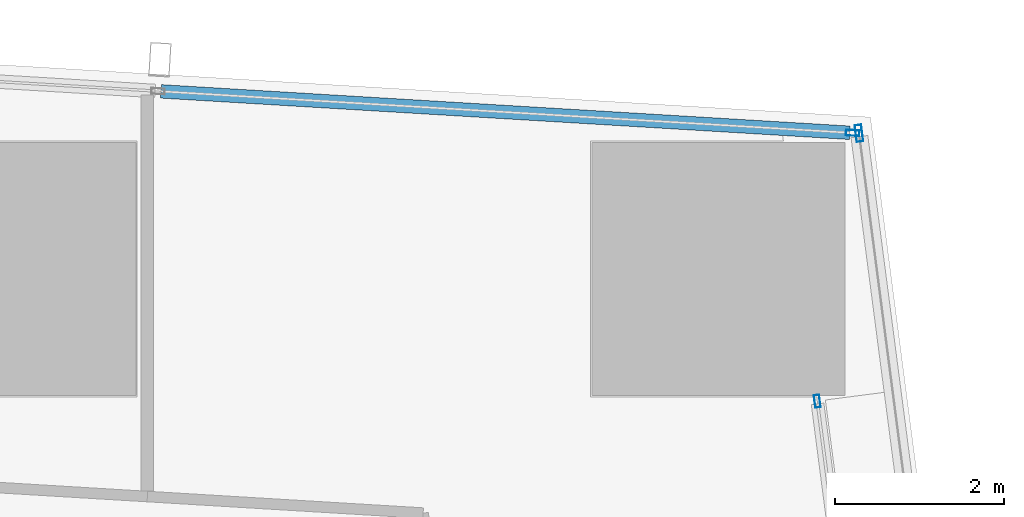
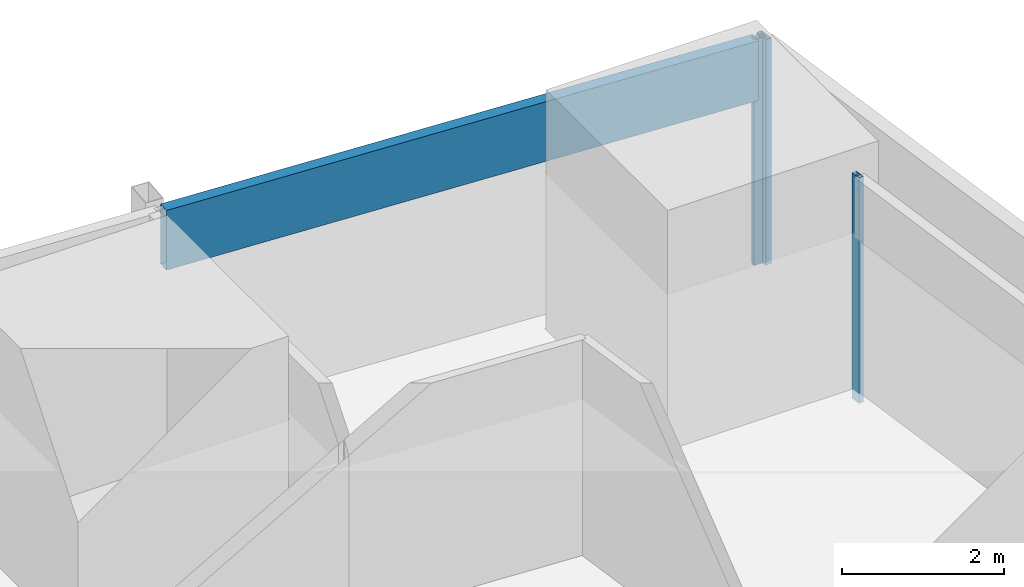
# One storey, part 20 of 38: 4 members, 3 elements without a shape of their own.
"""IFC4 building model written with IfcOpenShell, lengths in metres."""

from ifc_helpers import new_model, si_unit, direction, frame, origin, origin_2d, place, context, subcontext, project, spatial, hollow_rectangle, extrude, material, material_profile, profile_set, type_object, element, aggregate, save


model = new_model("IFC4")

# Units and contexts
model_context = context("Model", 3, precision=1e-05, world=origin(), true_north=direction((0.0, 1.0)))
body_context = subcontext(model_context, "Body", "Model", "MODEL_VIEW")
ifc_project = project(units=[si_unit("LENGTHUNIT", "METRE"), si_unit("AREAUNIT", "SQUARE_METRE"), si_unit("VOLUMEUNIT", "CUBIC_METRE"), si_unit("PLANEANGLEUNIT", "RADIAN"), si_unit("MASSUNIT", "GRAM", prefix="KILO")], contexts=[model_context])

# Site, building, storey
site_placement = place(None, origin())
site = spatial("IfcSite", under=ifc_project, at=site_placement, CompositionType="ELEMENT")
building_placement = place(site_placement, origin())
building = spatial("IfcBuilding", under=site, at=building_placement, Name="Rekha Terrace Tower", CompositionType="ELEMENT")
storey_placement = place(building_placement, frame((0.0, 0.0, 159.050048828125)))
storey = spatial("IfcBuildingStorey", under=building, at=storey_placement, Name="L40", CompositionType="ELEMENT", Elevation=159.050048828125)

# Curtain wall, member
ifc_material_1 = material(Name="Aluminium framing", Category="aluminium")
curtain_wall_type_1 = type_object("IfcCurtainWallType", Name="CW1 double skin inner glazing", PredefinedType="USERDEFINED", material=ifc_material_1)
curtain_wall_1_placement = place(storey_placement, origin())
curtain_wall_1 = element("IfcCurtainWall", 1, at=curtain_wall_1_placement, inside=storey, type_object=curtain_wall_type_1, Name="CW1 double skin inner glazing", ObjectType="DOUBLE SKIN INNER GLAZING", PredefinedType="USERDEFINED")
ifc_material_2 = material(Name="Aluminium mullion section", Category="aluminium")
ifc_material_profile_1 = material_profile(ifc_material_2, hollow_rectangle(XDim=0.06494140625, YDim=0.14990234375, WallThickness=0.00390625, at=origin_2d()), Name="AL RHS 65x150")
ifc_profile_set_1 = profile_set([ifc_material_profile_1], Name="Aluminium mullion section")
member_type_1 = type_object("IfcMemberType", Name="CW1 mullion RHS 65 x 150", PredefinedType="MULLION", material=ifc_profile_set_1)
member_1_placement = place(storey_placement, frame((68.369140625, 57.235595703125, 0.0), z_axis=(0.0, 0.0, 1.0), x_axis=(-0.991629186246, -0.129118383606, 0.0)))
member_1 = element("IfcMember", 2, at=member_1_placement, type_object=member_type_1, Name="CW1 mullion 2", PredefinedType="MULLION", context=body_context, shape_type="SweptSolid", body=[
    extrude(hollow_rectangle(XDim=0.06494140625, YDim=0.14990234375, WallThickness=0.00390625, at=origin_2d()), origin(), (0.0, 0.0, 1.0), 3.39990234375),
])
aggregate(curtain_wall_1, [member_1])

curtain_wall_type_2 = type_object("IfcCurtainWallType", Name="CW2 double skin outer glazing", PredefinedType="USERDEFINED", material=ifc_material_1)
curtain_wall_2_placement = place(storey_placement, origin())
curtain_wall_2 = element("IfcCurtainWall", 3, at=curtain_wall_2_placement, inside=storey, type_object=curtain_wall_type_2, Name="CW2 double skin outer glazing", ObjectType="DOUBLE SKIN OUTER GLAZING", PredefinedType="USERDEFINED")
ifc_material_profile_2 = material_profile(ifc_material_2, hollow_rectangle(XDim=0.080078125, YDim=0.199951171875, WallThickness=0.00390625, at=origin_2d()), Name="AL RHS 80x200")
ifc_profile_set_2 = profile_set([ifc_material_profile_2], Name="Aluminium mullion section")
member_type_2 = type_object("IfcMemberType", Name="CW2 mullion RHS 80 x 200", PredefinedType="MULLION", material=ifc_profile_set_2)
member_2_placement = place(storey_placement, frame((68.863525390625, 60.408447265625, 0.0), z_axis=(0.0, 0.0, 1.0), x_axis=(-0.991629186242, -0.129118383641, 0.0)))
member_2 = element("IfcMember", 4, at=member_2_placement, type_object=member_type_2, Name="CW2 mullion 3", PredefinedType="MULLION", context=body_context, shape_type="SweptSolid", body=[
    extrude(hollow_rectangle(XDim=0.080078125, YDim=0.199951171875, WallThickness=0.00390625, at=origin_2d()), origin(), (0.0, 0.0, 1.0), 3.39990234375),
])
aggregate(curtain_wall_2, [member_2])

# Curtain wall, members
curtain_wall_type_3 = type_object("IfcCurtainWallType", Name="CW3 north unitised glazing", PredefinedType="USERDEFINED", material=ifc_material_1)
curtain_wall_3_placement = place(storey_placement, origin())
curtain_wall_3 = element("IfcCurtainWall", 5, at=curtain_wall_3_placement, inside=storey, type_object=curtain_wall_type_3, Name="CW3 unitised curtain wall", ObjectType="UNITISED CURTAIN WALL", PredefinedType="USERDEFINED")
ifc_material_profile_3 = material_profile(ifc_material_2, hollow_rectangle(XDim=0.070068359375, YDim=0.159912109375, WallThickness=0.00390625, at=origin_2d()), Name="AL RHS 70x160")
ifc_profile_set_3 = profile_set([ifc_material_profile_3], Name="Aluminium mullion section")
member_type_3 = type_object("IfcMemberType", Name="CW3 mullion RHS 70 x 160", PredefinedType="MULLION", material=ifc_profile_set_3)
member_3_placement = place(storey_placement, frame((68.7880859375, 60.412353515625, 0.0), z_axis=(0.0, 0.0, 1.0), x_axis=(-0.059987926837, -0.998199102701, 0.0)))
member_3 = element("IfcMember", 6, at=member_3_placement, type_object=member_type_3, Name="CW3 mullion 1", PredefinedType="MULLION", context=body_context, shape_type="SweptSolid", body=[
    extrude(hollow_rectangle(XDim=0.070068359375, YDim=0.159912109375, WallThickness=0.00390625, at=origin_2d()), origin(), (0.0, 0.0, 1.0), 3.39990234375),
])
ifc_material_3 = material(Name="Insulated aluminium spandrel box", Category="aluminium")
ifc_material_profile_4 = material_profile(ifc_material_3, hollow_rectangle(XDim=0.159912109375, YDim=0.89990234375, WallThickness=0.0029296875, at=origin_2d()), Name="AL SPANDREL BOX 160x900")
ifc_profile_set_4 = profile_set([ifc_material_profile_4], Name="Insulated aluminium spandrel box")
member_type_4 = type_object("IfcMemberType", Name="CW3 spandrel transom 160 x 900", PredefinedType="USERDEFINED", material=ifc_profile_set_4)
member_4_placement = place(storey_placement, frame((68.753173828125, 60.41455078125, 2.949951171875), z_axis=(-0.998198874769, 0.05999171951, 0.0), x_axis=(-0.05999171951, -0.998198874769, 0.0)))
member_4 = element("IfcMember", 7, at=member_4_placement, type_object=member_type_4, Name="CW3 spandrel transom 1", ObjectType="TRANSOM", PredefinedType="USERDEFINED", context=body_context, shape_type="SweptSolid", body=[
    extrude(hollow_rectangle(XDim=0.159912109375, YDim=0.89990234375, WallThickness=0.0029296875, at=origin_2d()), origin(), (0.0, 0.0, 1.0), 8.171630859375),
])
aggregate(curtain_wall_3, [member_3, member_4])

save(model, "model.ifc")
